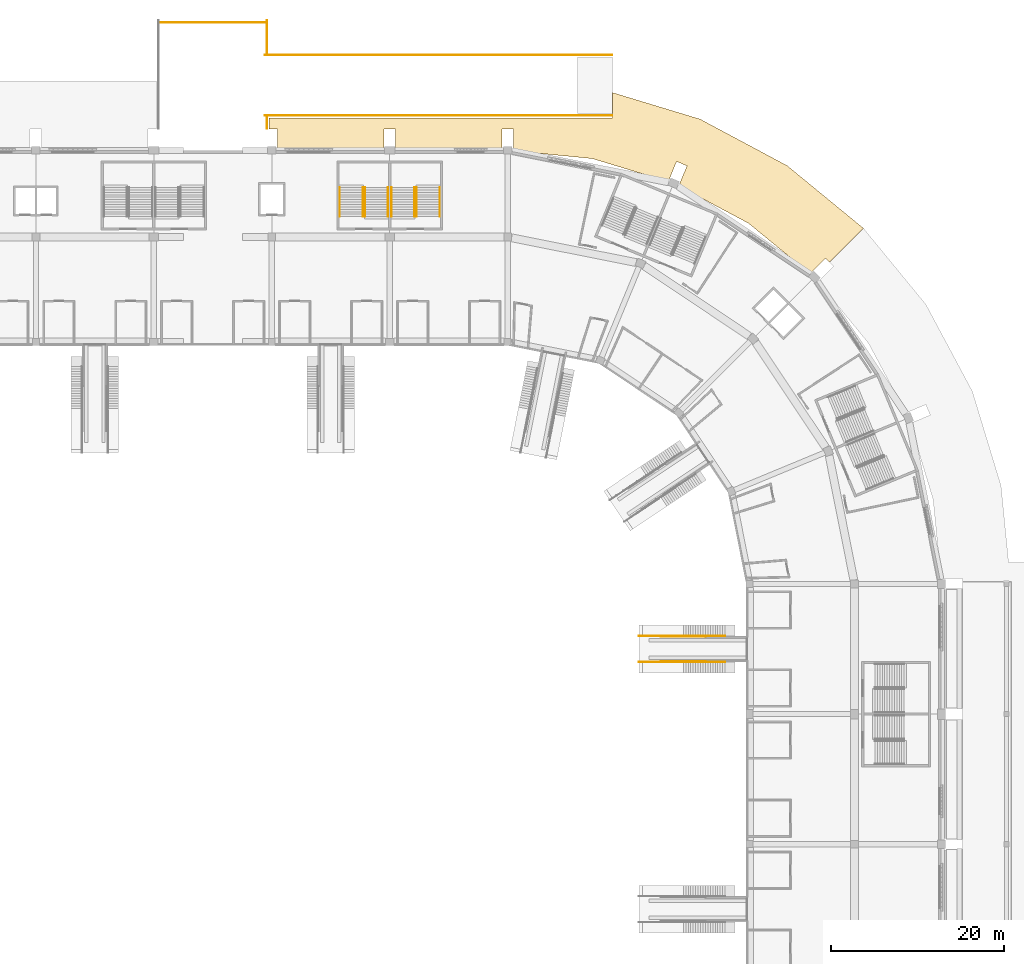
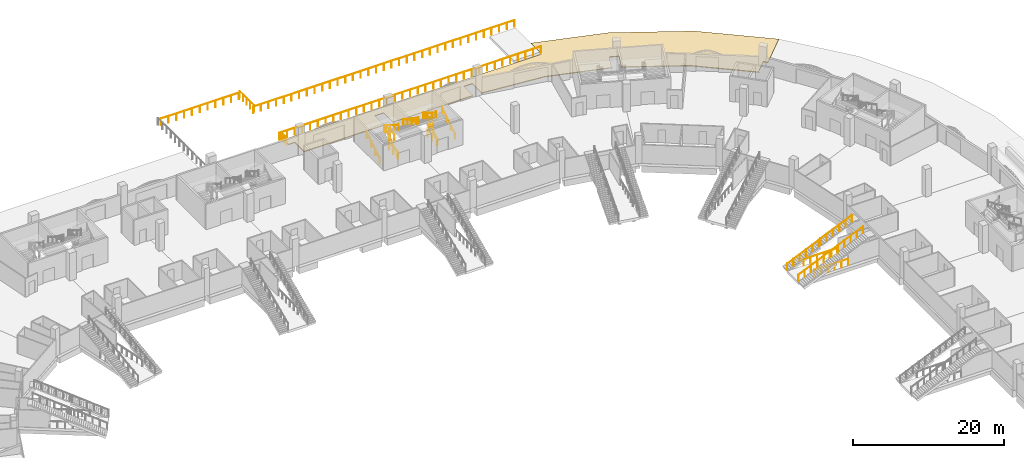
# One storey, part 166 of 175: 23 railings, 1 covering.
"""IFC4 building model written with IfcOpenShell, lengths in metres."""

from ifc_helpers import new_model, si_unit, direction, frame, origin, origin_2d, place, context, subcontext, project, spatial, polyline, circle, outline, extrude, material, layer, layer_set, type_object, element, save


model = new_model("IFC4")

# Units and contexts
model_context = context("Model", 3, precision=1e-05, world=origin(), true_north=direction((0.0, 1.0)))
body_context = subcontext(model_context, "Body", "Model", "MODEL_VIEW")
ifc_project = project(units=[si_unit("LENGTHUNIT", "METRE"), si_unit("AREAUNIT", "SQUARE_METRE"), si_unit("VOLUMEUNIT", "CUBIC_METRE"), si_unit("PLANEANGLEUNIT", "RADIAN"), si_unit("MASSUNIT", "GRAM", prefix="KILO")], contexts=[model_context])

# Site, building, storey
site_placement = place(None, origin())
site = spatial("IfcSite", under=ifc_project, at=site_placement, CompositionType="ELEMENT")
building_placement = place(site_placement, origin())
building = spatial("IfcBuilding", under=site, at=building_placement, Name="Ogive Plaza Stadium", CompositionType="ELEMENT")
storey_placement = place(building_placement, origin())
storey = spatial("IfcBuildingStorey", under=building, at=storey_placement, Name="L00", CompositionType="ELEMENT", Elevation=0.0)

# Railings
ifc_material_1 = material(Name="Steel ASTM A572 Grade 50", Category="steel")
railing_type_1 = type_object("IfcRailingType", Name="Guard 1100", PredefinedType="GUARDRAIL", material=ifc_material_1)
for number, where, name in (
    (1, (23.375, 94.85009765625, 0.0), "Stair well guard ST36A L00"),
    (2, (23.375, 95.81005859375, 2.25), "Stair well guard ST36A L00"),
    (3, (17.425048828125, 94.85009765625, 0.0), "Stair well guard ST36B L00"),
    (4, (17.425048828125, 95.81005859375, 2.25), "Stair well guard ST36B L00"),
):
    element("IfcRailing", number, at=place(storey_placement, frame(where)), inside=storey, type_object=railing_type_1, Name=name, PredefinedType="GUARDRAIL", context=body_context, shape_type="SweptSolid", body=[
        extrude(circle(Radius=0.02392578125, at=origin_2d()), frame((0.0, 0.0, 1.076171875), z_axis=(0.0, 1.0, 0.0), x_axis=(-1.0, 0.0, 0.0)), (0.0, 0.0, 1.0), 2.39990234375),
        extrude(circle(Radius=0.02099609375, at=origin_2d()), origin(), (0.0, 0.0, 1.0), 1.052001953125),
        extrude(circle(Radius=0.02099609375, at=origin_2d()), frame((0.0, 1.199951171875, 0.0)), (0.0, 0.0, 1.0), 1.052001953125),
        extrude(circle(Radius=0.02099609375, at=origin_2d()), frame((0.0, 2.39990234375, 0.0)), (0.0, 0.0, 1.0), 1.052001953125),
    ])
for number, where, name in (
    (5, (49.14990234375, 43.5, 0.125), "Vomitory guard B01"),
    (6, (54.25, 43.5, 2.375), "Vomitory guard B01"),
    (7, (49.14990234375, 46.5, 0.125), "Vomitory guard B01"),
    (8, (54.25, 46.5, 2.375), "Vomitory guard B01"),
):
    element("IfcRailing", number, at=place(storey_placement, frame(where)), inside=storey, type_object=railing_type_1, Name=name, PredefinedType="GUARDRAIL", context=body_context, shape_type="SweptSolid", body=[
        extrude(circle(Radius=0.02392578125, at=origin_2d()), frame((0.0, 0.0, 1.076171875), z_axis=(0.914917297869, 0.0, 0.403641348302), x_axis=(0.0, 1.0, 0.0)), (0.0, 0.0, 1.0), 5.2646484375),
        extrude(circle(Radius=0.02099609375, at=origin_2d()), origin(), (0.0, 0.0, 1.0), 1.052001953125),
        extrude(circle(Radius=0.02099609375, at=origin_2d()), frame((0.96337890625, 0.0, 0.425048828125)), (0.0, 0.0, 1.0), 1.052001953125),
        extrude(circle(Radius=0.02099609375, at=origin_2d()), frame((1.9267578125, 0.0, 0.85009765625)), (0.0, 0.0, 1.0), 1.052001953125),
        extrude(circle(Radius=0.02099609375, at=origin_2d()), frame((2.889892578125, 0.0, 1.27490234375)), (0.0, 0.0, 1.0), 1.052001953125),
        extrude(circle(Radius=0.02099609375, at=origin_2d()), frame((3.853271484375, 0.0, 1.699951171875)), (0.0, 0.0, 1.0), 1.052001953125),
        extrude(circle(Radius=0.02099609375, at=origin_2d()), frame((4.816650390625, 0.0, 2.125)), (0.0, 0.0, 1.0), 1.052001953125),
    ])
for number, where, name in (
    (9, (51.643310546875, 43.580078125, 0.0), "Vomitory edge guard B01"),
    (10, (51.643310546875, 46.419921875, 0.0), "Vomitory edge guard B01"),
):
    element("IfcRailing", number, at=place(storey_placement, frame(where)), inside=storey, type_object=railing_type_1, Name=name, PredefinedType="GUARDRAIL", context=body_context, shape_type="SweptSolid", body=[
        extrude(circle(Radius=0.02392578125, at=origin_2d()), frame((0.0, 0.0, 1.076171875), z_axis=(1.0, 0.0, 0.0), x_axis=(0.0, 1.0, 0.0)), (0.0, 0.0, 1.0), 5.15673828125),
        extrude(circle(Radius=0.02099609375, at=origin_2d()), origin(), (0.0, 0.0, 1.0), 1.052001953125),
        extrude(circle(Radius=0.02099609375, at=origin_2d()), frame((1.03125, 0.0, 0.0)), (0.0, 0.0, 1.0), 1.052001953125),
        extrude(circle(Radius=0.02099609375, at=origin_2d()), frame((2.062744140625, 0.0, 0.0)), (0.0, 0.0, 1.0), 1.052001953125),
        extrude(circle(Radius=0.02099609375, at=origin_2d()), frame((3.093994140625, 0.0, 0.0)), (0.0, 0.0, 1.0), 1.052001953125),
        extrude(circle(Radius=0.02099609375, at=origin_2d()), frame((4.12548828125, 0.0, 0.0)), (0.0, 0.0, 1.0), 1.052001953125),
        extrude(circle(Radius=0.02099609375, at=origin_2d()), frame((5.15673828125, 0.0, 0.0)), (0.0, 0.0, 1.0), 1.052001953125),
    ])
ifc_material_2 = material(Name="Steel ASTM A572 Grade 50", Category="steel")
railing_type_2 = type_object("IfcRailingType", Name="Handrail 900", PredefinedType="HANDRAIL", material=ifc_material_2)
for number, where, name in (
    (11, (26.1650390625, 94.85009765625, 0.173095703125), "Handrail ST36A L00"),
    (12, (23.485107421875, 94.85009765625, 0.173095703125), "Handrail ST36A L00"),
):
    element("IfcRailing", number, at=place(storey_placement, frame(where)), inside=storey, type_object=railing_type_2, Name=name, PredefinedType="HANDRAIL", context=body_context, shape_type="SweptSolid", body=[
        extrude(circle(Radius=0.02392578125, at=origin_2d()), frame((0.0, 0.0, 0.8759765625), z_axis=(0.0, 0.850606129759, 0.525803396734), x_axis=(-1.0, 0.0, 0.0)), (0.0, 0.0, 1.0), 3.949951171875),
        extrude(circle(Radius=0.02099609375, at=origin_2d()), origin(), (0.0, 0.0, 1.0), 0.851806640625),
        extrude(circle(Radius=0.02099609375, at=origin_2d()), frame((0.0, 1.119873046875, 0.6923828125)), (0.0, 0.0, 1.0), 0.851806640625),
        extrude(circle(Radius=0.02099609375, at=origin_2d()), frame((0.0, 2.239990234375, 1.384521484375)), (0.0, 0.0, 1.0), 0.851806640625),
        extrude(circle(Radius=0.02099609375, at=origin_2d()), frame((0.0, 3.35986328125, 2.076904296875)), (0.0, 0.0, 1.0), 1.10009765625),
    ])
for number, where, name in (
    (13, (23.264892578125, 98.2099609375, 2.423095703125), "Handrail ST36A L00"),
    (14, (20.5849609375, 98.2099609375, 2.423095703125), "Handrail ST36A L00"),
):
    element("IfcRailing", number, at=place(storey_placement, frame(where)), inside=storey, type_object=railing_type_2, Name=name, PredefinedType="HANDRAIL", context=body_context, shape_type="SweptSolid", body=[
        extrude(circle(Radius=0.02392578125, at=origin_2d()), frame((0.0, 0.0, 0.8759765625), z_axis=(0.0, -0.850606129759, 0.525803396734), x_axis=(1.0, 0.0, 0.0)), (0.0, 0.0, 1.0), 3.949951171875),
        extrude(circle(Radius=0.02099609375, at=origin_2d()), origin(), (0.0, 0.0, 1.0), 0.851806640625),
        extrude(circle(Radius=0.02099609375, at=origin_2d()), frame((0.0, -1.119873046875, 0.6923828125)), (0.0, 0.0, 1.0), 0.851806640625),
        extrude(circle(Radius=0.02099609375, at=origin_2d()), frame((0.0, -2.239990234375, 1.384521484375)), (0.0, 0.0, 1.0), 0.851806640625),
        extrude(circle(Radius=0.02099609375, at=origin_2d()), frame((0.0, -3.35986328125, 2.076904296875)), (0.0, 0.0, 1.0), 1.10009765625),
    ])
for number, where, name in (
    (15, (17.31494140625, 94.85009765625, 0.173095703125), "Handrail ST36B L00"),
    (16, (14.635009765625, 94.85009765625, 0.173095703125), "Handrail ST36B L00"),
):
    element("IfcRailing", number, at=place(storey_placement, frame(where)), inside=storey, type_object=railing_type_2, Name=name, PredefinedType="HANDRAIL", context=body_context, shape_type="SweptSolid", body=[
        extrude(circle(Radius=0.02392578125, at=origin_2d()), frame((0.0, 0.0, 0.8759765625), z_axis=(0.0, 0.850606129759, 0.525803396734), x_axis=(-1.0, 0.0, 0.0)), (0.0, 0.0, 1.0), 3.949951171875),
        extrude(circle(Radius=0.02099609375, at=origin_2d()), origin(), (0.0, 0.0, 1.0), 0.851806640625),
        extrude(circle(Radius=0.02099609375, at=origin_2d()), frame((0.0, 1.119873046875, 0.6923828125)), (0.0, 0.0, 1.0), 0.851806640625),
        extrude(circle(Radius=0.02099609375, at=origin_2d()), frame((0.0, 2.239990234375, 1.384521484375)), (0.0, 0.0, 1.0), 0.851806640625),
        extrude(circle(Radius=0.02099609375, at=origin_2d()), frame((0.0, 3.35986328125, 2.076904296875)), (0.0, 0.0, 1.0), 1.10009765625),
    ])
for number, where, name in (
    (17, (20.215087890625, 98.2099609375, 2.423095703125), "Handrail ST36B L00"),
    (18, (17.534912109375, 98.2099609375, 2.423095703125), "Handrail ST36B L00"),
):
    element("IfcRailing", number, at=place(storey_placement, frame(where)), inside=storey, type_object=railing_type_2, Name=name, PredefinedType="HANDRAIL", context=body_context, shape_type="SweptSolid", body=[
        extrude(circle(Radius=0.02392578125, at=origin_2d()), frame((0.0, 0.0, 0.8759765625), z_axis=(0.0, -0.850606129759, 0.525803396734), x_axis=(1.0, 0.0, 0.0)), (0.0, 0.0, 1.0), 3.949951171875),
        extrude(circle(Radius=0.02099609375, at=origin_2d()), origin(), (0.0, 0.0, 1.0), 0.851806640625),
        extrude(circle(Radius=0.02099609375, at=origin_2d()), frame((0.0, -1.119873046875, 0.6923828125)), (0.0, 0.0, 1.0), 0.851806640625),
        extrude(circle(Radius=0.02099609375, at=origin_2d()), frame((0.0, -2.239990234375, 1.384521484375)), (0.0, 0.0, 1.0), 0.851806640625),
        extrude(circle(Radius=0.02099609375, at=origin_2d()), frame((0.0, -3.35986328125, 2.076904296875)), (0.0, 0.0, 1.0), 1.10009765625),
    ])

# Covering
ifc_material_3 = material(Name="Granite paving", Category="masonry")
ifc_layer = layer(ifc_material_3, 0.1201171875)
ifc_layer_set = layer_set([ifc_layer], Name="Paving 120")
covering_type = type_object("IfcCoveringType", Name="Paving 120", PredefinedType="USERDEFINED", material=ifc_layer_set)
covering_placement = place(storey_placement, frame((0.0, 0.0, -0.1201171875)))
element("IfcCovering", 19, at=covering_placement, inside=storey, type_object=covering_type, Name="Paving North 2", ObjectType="PAVING", PredefinedType="USERDEFINED", context=body_context, shape_type="SweptSolid", body=[
    extrude(outline(polyline([(70.628173828125, 90.04736328125), (68.8603515625, 88.279541015625), (68.9609375, 88.178955078125), (61.778564453125, 94.073486328125), (53.583984375, 98.45361328125), (53.715576171875, 98.39892578125), (54.67236328125, 100.708740234375), (53.47119140625, 101.206298828125), (52.514404296875, 98.896484375), (52.64599609375, 98.842041015625), (43.75439453125, 101.539306640625), (34.507568359375, 102.449951171875), (34.64990234375, 102.449951171875), (34.64990234375, 104.949951171875), (33.35009765625, 104.949951171875), (33.35009765625, 102.5), (21.050048828125, 102.5), (21.050048828125, 104.949951171875), (19.75, 104.949951171875), (19.75, 102.5), (7.449951171875, 102.5), (7.449951171875, 104.949951171875), (6.5, 104.949951171875), (6.5, 106.25), (46.06005859375, 106.25), (46.06005859375, 109.15966796875), (56.195556640625, 106.0849609375), (66.22314453125, 100.725341796875), (75.01220703125, 93.51220703125), (71.087646484375, 89.587646484375), (70.628173828125, 90.04736328125)])), origin(), (0.0, 0.0, 1.0), 0.1201171875),
])

# Railings
ifc_material_4 = material(Name="Stainless steel", Category="steel")
railing_type_3 = type_object("IfcRailingType", Name="Station guard 1100", PredefinedType="GUARDRAIL", material=ifc_material_4)
railing_1_placement = place(storey_placement, frame((-6.0, 117.25, 0.0)))
element("IfcRailing", 20, at=railing_1_placement, inside=storey, type_object=railing_type_3, Name="Station guard 1100 GR-SW2", PredefinedType="GUARDRAIL", context=body_context, shape_type="SweptSolid", body=[
    extrude(circle(Radius=0.02392578125, at=origin_2d()), frame((0.0, 0.0, 1.076171875), z_axis=(1.0, 0.0, 0.0), x_axis=(0.0, 1.0, 0.0)), (0.0, 0.0, 1.0), 12.0),
    extrude(circle(Radius=0.02099609375, at=origin_2d()), origin(), (0.0, 0.0, 1.0), 1.052001953125),
    extrude(circle(Radius=0.02099609375, at=origin_2d()), frame((1.199951171875, 0.0, 0.0)), (0.0, 0.0, 1.0), 1.052001953125),
    extrude(circle(Radius=0.02099609375, at=origin_2d()), frame((2.39990234375, 0.0, 0.0)), (0.0, 0.0, 1.0), 1.052001953125),
    extrude(circle(Radius=0.02099609375, at=origin_2d()), frame((3.60009765625, 0.0, 0.0)), (0.0, 0.0, 1.0), 1.052001953125),
    extrude(circle(Radius=0.02099609375, at=origin_2d()), frame((4.800048828125, 0.0, 0.0)), (0.0, 0.0, 1.0), 1.052001953125),
    extrude(circle(Radius=0.02099609375, at=origin_2d()), frame((6.0, 0.0, 0.0)), (0.0, 0.0, 1.0), 1.052001953125),
    extrude(circle(Radius=0.02099609375, at=origin_2d()), frame((7.199951171875, 0.0, 0.0)), (0.0, 0.0, 1.0), 1.052001953125),
    extrude(circle(Radius=0.02099609375, at=origin_2d()), frame((8.39990234375, 0.0, 0.0)), (0.0, 0.0, 1.0), 1.052001953125),
    extrude(circle(Radius=0.02099609375, at=origin_2d()), frame((9.60009765625, 0.0, 0.0)), (0.0, 0.0, 1.0), 1.052001953125),
    extrude(circle(Radius=0.02099609375, at=origin_2d()), frame((10.800048828125, 0.0, 0.0)), (0.0, 0.0, 1.0), 1.052001953125),
    extrude(circle(Radius=0.02099609375, at=origin_2d()), frame((12.0, 0.0, 0.0)), (0.0, 0.0, 1.0), 1.052001953125),
])
railing_2_placement = place(storey_placement, frame((6.25, 105.0, 0.0)))
element("IfcRailing", 21, at=railing_2_placement, inside=storey, type_object=railing_type_3, Name="Station guard 1100 GR-SW3", PredefinedType="GUARDRAIL", context=body_context, shape_type="SweptSolid", body=[
    extrude(circle(Radius=0.02392578125, at=origin_2d()), frame((0.0, 0.0, 1.076171875), z_axis=(0.0, 1.0, 0.0), x_axis=(-1.0, 0.0, 0.0)), (0.0, 0.0, 1.0), 1.25),
    extrude(circle(Radius=0.02099609375, at=origin_2d()), origin(), (0.0, 0.0, 1.0), 1.052001953125),
    extrude(circle(Radius=0.02099609375, at=origin_2d()), frame((0.0, 0.625, 0.0)), (0.0, 0.0, 1.0), 1.052001953125),
    extrude(circle(Radius=0.02099609375, at=origin_2d()), frame((0.0, 1.25, 0.0)), (0.0, 0.0, 1.0), 1.052001953125),
])
railing_3_placement = place(storey_placement, frame((6.25, 113.75, 0.0)))
element("IfcRailing", 22, at=railing_3_placement, inside=storey, type_object=railing_type_3, Name="Station guard 1100 GR-SW4", PredefinedType="GUARDRAIL", context=body_context, shape_type="SweptSolid", body=[
    extrude(circle(Radius=0.02392578125, at=origin_2d()), frame((0.0, 0.0, 1.076171875), z_axis=(0.0, 1.0, 0.0), x_axis=(-1.0, 0.0, 0.0)), (0.0, 0.0, 1.0), 3.75),
    extrude(circle(Radius=0.02099609375, at=origin_2d()), origin(), (0.0, 0.0, 1.0), 1.052001953125),
    extrude(circle(Radius=0.02099609375, at=origin_2d()), frame((0.0, 0.9375, 0.0)), (0.0, 0.0, 1.0), 1.052001953125),
    extrude(circle(Radius=0.02099609375, at=origin_2d()), frame((0.0, 1.875, 0.0)), (0.0, 0.0, 1.0), 1.052001953125),
    extrude(circle(Radius=0.02099609375, at=origin_2d()), frame((0.0, 2.8125, 0.0)), (0.0, 0.0, 1.0), 1.052001953125),
    extrude(circle(Radius=0.02099609375, at=origin_2d()), frame((0.0, 3.75, 0.0)), (0.0, 0.0, 1.0), 1.052001953125),
])
railing_4_placement = place(storey_placement, frame((6.0, 106.5, 0.0)))
element("IfcRailing", 23, at=railing_4_placement, inside=storey, type_object=railing_type_3, Name="Station guard 1100 GR-SW5", PredefinedType="GUARDRAIL", context=body_context, shape_type="SweptSolid", body=[
    extrude(circle(Radius=0.02392578125, at=origin_2d()), frame((0.0, 0.0, 1.076171875), z_axis=(1.0, 0.0, 0.0), x_axis=(0.0, 1.0, 0.0)), (0.0, 0.0, 1.0), 40.06005859375),
    extrude(circle(Radius=0.02099609375, at=origin_2d()), origin(), (0.0, 0.0, 1.0), 1.052001953125),
    extrude(circle(Radius=0.02099609375, at=origin_2d()), frame((1.17822265625, 0.0, 0.0)), (0.0, 0.0, 1.0), 1.052001953125),
    extrude(circle(Radius=0.02099609375, at=origin_2d()), frame((2.3564453125, 0.0, 0.0)), (0.0, 0.0, 1.0), 1.052001953125),
    extrude(circle(Radius=0.02099609375, at=origin_2d()), frame((3.53466796875, 0.0, 0.0)), (0.0, 0.0, 1.0), 1.052001953125),
    extrude(circle(Radius=0.02099609375, at=origin_2d()), frame((4.712890625, 0.0, 0.0)), (0.0, 0.0, 1.0), 1.052001953125),
    extrude(circle(Radius=0.02099609375, at=origin_2d()), frame((5.89111328125, 0.0, 0.0)), (0.0, 0.0, 1.0), 1.052001953125),
    extrude(circle(Radius=0.02099609375, at=origin_2d()), frame((7.0693359375, 0.0, 0.0)), (0.0, 0.0, 1.0), 1.052001953125),
    extrude(circle(Radius=0.02099609375, at=origin_2d()), frame((8.24755859375, 0.0, 0.0)), (0.0, 0.0, 1.0), 1.052001953125),
    extrude(circle(Radius=0.02099609375, at=origin_2d()), frame((9.42578125, 0.0, 0.0)), (0.0, 0.0, 1.0), 1.052001953125),
    extrude(circle(Radius=0.02099609375, at=origin_2d()), frame((10.604248046875, 0.0, 0.0)), (0.0, 0.0, 1.0), 1.052001953125),
    extrude(circle(Radius=0.02099609375, at=origin_2d()), frame((11.782470703125, 0.0, 0.0)), (0.0, 0.0, 1.0), 1.052001953125),
    extrude(circle(Radius=0.02099609375, at=origin_2d()), frame((12.960693359375, 0.0, 0.0)), (0.0, 0.0, 1.0), 1.052001953125),
    extrude(circle(Radius=0.02099609375, at=origin_2d()), frame((14.138916015625, 0.0, 0.0)), (0.0, 0.0, 1.0), 1.052001953125),
    extrude(circle(Radius=0.02099609375, at=origin_2d()), frame((15.317138671875, 0.0, 0.0)), (0.0, 0.0, 1.0), 1.052001953125),
    extrude(circle(Radius=0.02099609375, at=origin_2d()), frame((16.495361328125, 0.0, 0.0)), (0.0, 0.0, 1.0), 1.052001953125),
    extrude(circle(Radius=0.02099609375, at=origin_2d()), frame((17.673583984375, 0.0, 0.0)), (0.0, 0.0, 1.0), 1.052001953125),
    extrude(circle(Radius=0.02099609375, at=origin_2d()), frame((18.851806640625, 0.0, 0.0)), (0.0, 0.0, 1.0), 1.052001953125),
    extrude(circle(Radius=0.02099609375, at=origin_2d()), frame((20.030029296875, 0.0, 0.0)), (0.0, 0.0, 1.0), 1.052001953125),
    extrude(circle(Radius=0.02099609375, at=origin_2d()), frame((21.208251953125, 0.0, 0.0)), (0.0, 0.0, 1.0), 1.052001953125),
    extrude(circle(Radius=0.02099609375, at=origin_2d()), frame((22.386474609375, 0.0, 0.0)), (0.0, 0.0, 1.0), 1.052001953125),
    extrude(circle(Radius=0.02099609375, at=origin_2d()), frame((23.564697265625, 0.0, 0.0)), (0.0, 0.0, 1.0), 1.052001953125),
    extrude(circle(Radius=0.02099609375, at=origin_2d()), frame((24.742919921875, 0.0, 0.0)), (0.0, 0.0, 1.0), 1.052001953125),
    extrude(circle(Radius=0.02099609375, at=origin_2d()), frame((25.921142578125, 0.0, 0.0)), (0.0, 0.0, 1.0), 1.052001953125),
    extrude(circle(Radius=0.02099609375, at=origin_2d()), frame((27.099365234375, 0.0, 0.0)), (0.0, 0.0, 1.0), 1.052001953125),
    extrude(circle(Radius=0.02099609375, at=origin_2d()), frame((28.277587890625, 0.0, 0.0)), (0.0, 0.0, 1.0), 1.052001953125),
    extrude(circle(Radius=0.02099609375, at=origin_2d()), frame((29.455810546875, 0.0, 0.0)), (0.0, 0.0, 1.0), 1.052001953125),
    extrude(circle(Radius=0.02099609375, at=origin_2d()), frame((30.63427734375, 0.0, 0.0)), (0.0, 0.0, 1.0), 1.052001953125),
    extrude(circle(Radius=0.02099609375, at=origin_2d()), frame((31.8125, 0.0, 0.0)), (0.0, 0.0, 1.0), 1.052001953125),
    extrude(circle(Radius=0.02099609375, at=origin_2d()), frame((32.99072265625, 0.0, 0.0)), (0.0, 0.0, 1.0), 1.052001953125),
    extrude(circle(Radius=0.02099609375, at=origin_2d()), frame((34.1689453125, 0.0, 0.0)), (0.0, 0.0, 1.0), 1.052001953125),
    extrude(circle(Radius=0.02099609375, at=origin_2d()), frame((35.34716796875, 0.0, 0.0)), (0.0, 0.0, 1.0), 1.052001953125),
    extrude(circle(Radius=0.02099609375, at=origin_2d()), frame((36.525390625, 0.0, 0.0)), (0.0, 0.0, 1.0), 1.052001953125),
    extrude(circle(Radius=0.02099609375, at=origin_2d()), frame((37.70361328125, 0.0, 0.0)), (0.0, 0.0, 1.0), 1.052001953125),
    extrude(circle(Radius=0.02099609375, at=origin_2d()), frame((38.8818359375, 0.0, 0.0)), (0.0, 0.0, 1.0), 1.052001953125),
    extrude(circle(Radius=0.02099609375, at=origin_2d()), frame((40.06005859375, 0.0, 0.0)), (0.0, 0.0, 1.0), 1.052001953125),
])
railing_5_placement = place(storey_placement, frame((6.0, 113.5, 0.0)))
element("IfcRailing", 24, at=railing_5_placement, inside=storey, type_object=railing_type_3, Name="Station guard 1100 GR-SW6", PredefinedType="GUARDRAIL", context=body_context, shape_type="SweptSolid", body=[
    extrude(circle(Radius=0.02392578125, at=origin_2d()), frame((0.0, 0.0, 1.076171875), z_axis=(1.0, 0.0, 0.0), x_axis=(0.0, 1.0, 0.0)), (0.0, 0.0, 1.0), 40.06005859375),
    extrude(circle(Radius=0.02099609375, at=origin_2d()), origin(), (0.0, 0.0, 1.0), 1.052001953125),
    extrude(circle(Radius=0.02099609375, at=origin_2d()), frame((1.17822265625, 0.0, 0.0)), (0.0, 0.0, 1.0), 1.052001953125),
    extrude(circle(Radius=0.02099609375, at=origin_2d()), frame((2.3564453125, 0.0, 0.0)), (0.0, 0.0, 1.0), 1.052001953125),
    extrude(circle(Radius=0.02099609375, at=origin_2d()), frame((3.53466796875, 0.0, 0.0)), (0.0, 0.0, 1.0), 1.052001953125),
    extrude(circle(Radius=0.02099609375, at=origin_2d()), frame((4.712890625, 0.0, 0.0)), (0.0, 0.0, 1.0), 1.052001953125),
    extrude(circle(Radius=0.02099609375, at=origin_2d()), frame((5.89111328125, 0.0, 0.0)), (0.0, 0.0, 1.0), 1.052001953125),
    extrude(circle(Radius=0.02099609375, at=origin_2d()), frame((7.0693359375, 0.0, 0.0)), (0.0, 0.0, 1.0), 1.052001953125),
    extrude(circle(Radius=0.02099609375, at=origin_2d()), frame((8.24755859375, 0.0, 0.0)), (0.0, 0.0, 1.0), 1.052001953125),
    extrude(circle(Radius=0.02099609375, at=origin_2d()), frame((9.42578125, 0.0, 0.0)), (0.0, 0.0, 1.0), 1.052001953125),
    extrude(circle(Radius=0.02099609375, at=origin_2d()), frame((10.604248046875, 0.0, 0.0)), (0.0, 0.0, 1.0), 1.052001953125),
    extrude(circle(Radius=0.02099609375, at=origin_2d()), frame((11.782470703125, 0.0, 0.0)), (0.0, 0.0, 1.0), 1.052001953125),
    extrude(circle(Radius=0.02099609375, at=origin_2d()), frame((12.960693359375, 0.0, 0.0)), (0.0, 0.0, 1.0), 1.052001953125),
    extrude(circle(Radius=0.02099609375, at=origin_2d()), frame((14.138916015625, 0.0, 0.0)), (0.0, 0.0, 1.0), 1.052001953125),
    extrude(circle(Radius=0.02099609375, at=origin_2d()), frame((15.317138671875, 0.0, 0.0)), (0.0, 0.0, 1.0), 1.052001953125),
    extrude(circle(Radius=0.02099609375, at=origin_2d()), frame((16.495361328125, 0.0, 0.0)), (0.0, 0.0, 1.0), 1.052001953125),
    extrude(circle(Radius=0.02099609375, at=origin_2d()), frame((17.673583984375, 0.0, 0.0)), (0.0, 0.0, 1.0), 1.052001953125),
    extrude(circle(Radius=0.02099609375, at=origin_2d()), frame((18.851806640625, 0.0, 0.0)), (0.0, 0.0, 1.0), 1.052001953125),
    extrude(circle(Radius=0.02099609375, at=origin_2d()), frame((20.030029296875, 0.0, 0.0)), (0.0, 0.0, 1.0), 1.052001953125),
    extrude(circle(Radius=0.02099609375, at=origin_2d()), frame((21.208251953125, 0.0, 0.0)), (0.0, 0.0, 1.0), 1.052001953125),
    extrude(circle(Radius=0.02099609375, at=origin_2d()), frame((22.386474609375, 0.0, 0.0)), (0.0, 0.0, 1.0), 1.052001953125),
    extrude(circle(Radius=0.02099609375, at=origin_2d()), frame((23.564697265625, 0.0, 0.0)), (0.0, 0.0, 1.0), 1.052001953125),
    extrude(circle(Radius=0.02099609375, at=origin_2d()), frame((24.742919921875, 0.0, 0.0)), (0.0, 0.0, 1.0), 1.052001953125),
    extrude(circle(Radius=0.02099609375, at=origin_2d()), frame((25.921142578125, 0.0, 0.0)), (0.0, 0.0, 1.0), 1.052001953125),
    extrude(circle(Radius=0.02099609375, at=origin_2d()), frame((27.099365234375, 0.0, 0.0)), (0.0, 0.0, 1.0), 1.052001953125),
    extrude(circle(Radius=0.02099609375, at=origin_2d()), frame((28.277587890625, 0.0, 0.0)), (0.0, 0.0, 1.0), 1.052001953125),
    extrude(circle(Radius=0.02099609375, at=origin_2d()), frame((29.455810546875, 0.0, 0.0)), (0.0, 0.0, 1.0), 1.052001953125),
    extrude(circle(Radius=0.02099609375, at=origin_2d()), frame((30.63427734375, 0.0, 0.0)), (0.0, 0.0, 1.0), 1.052001953125),
    extrude(circle(Radius=0.02099609375, at=origin_2d()), frame((31.8125, 0.0, 0.0)), (0.0, 0.0, 1.0), 1.052001953125),
    extrude(circle(Radius=0.02099609375, at=origin_2d()), frame((32.99072265625, 0.0, 0.0)), (0.0, 0.0, 1.0), 1.052001953125),
    extrude(circle(Radius=0.02099609375, at=origin_2d()), frame((34.1689453125, 0.0, 0.0)), (0.0, 0.0, 1.0), 1.052001953125),
    extrude(circle(Radius=0.02099609375, at=origin_2d()), frame((35.34716796875, 0.0, 0.0)), (0.0, 0.0, 1.0), 1.052001953125),
    extrude(circle(Radius=0.02099609375, at=origin_2d()), frame((36.525390625, 0.0, 0.0)), (0.0, 0.0, 1.0), 1.052001953125),
    extrude(circle(Radius=0.02099609375, at=origin_2d()), frame((37.70361328125, 0.0, 0.0)), (0.0, 0.0, 1.0), 1.052001953125),
    extrude(circle(Radius=0.02099609375, at=origin_2d()), frame((38.8818359375, 0.0, 0.0)), (0.0, 0.0, 1.0), 1.052001953125),
    extrude(circle(Radius=0.02099609375, at=origin_2d()), frame((40.06005859375, 0.0, 0.0)), (0.0, 0.0, 1.0), 1.052001953125),
])

save(model, "model.ifc")
